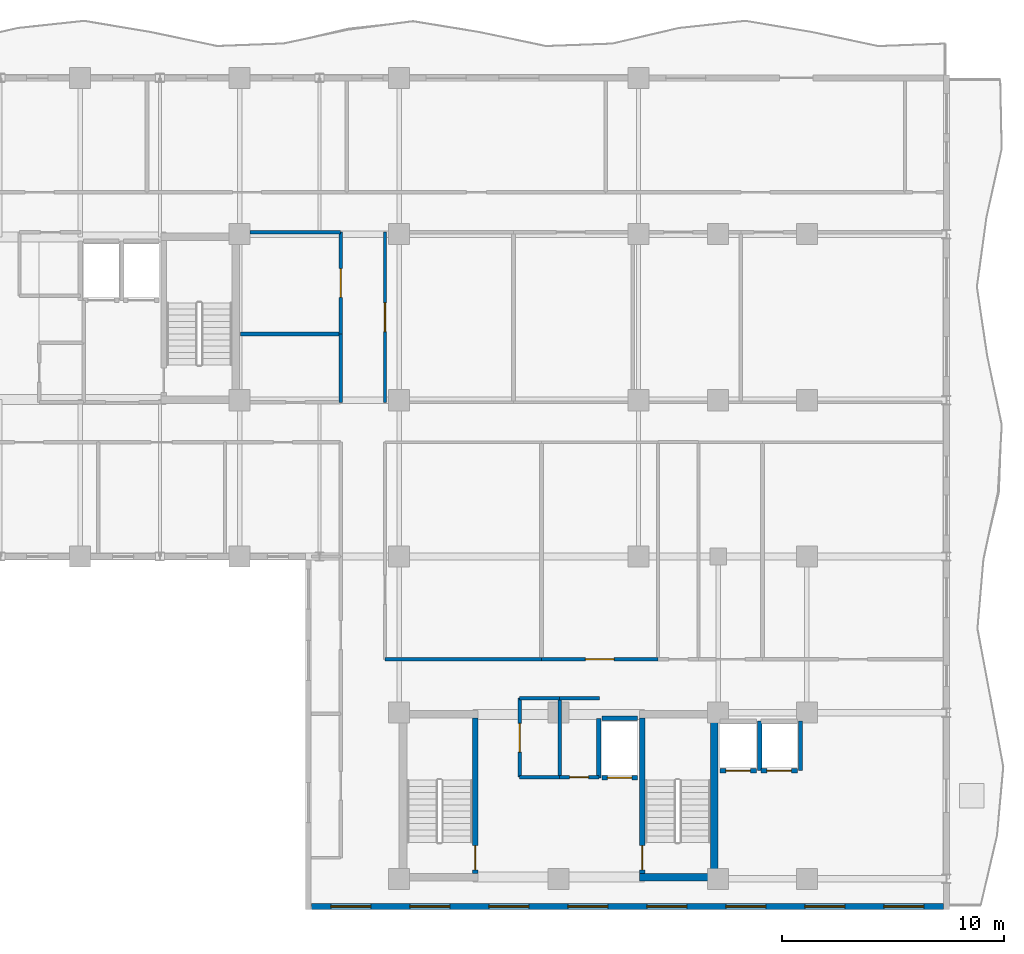
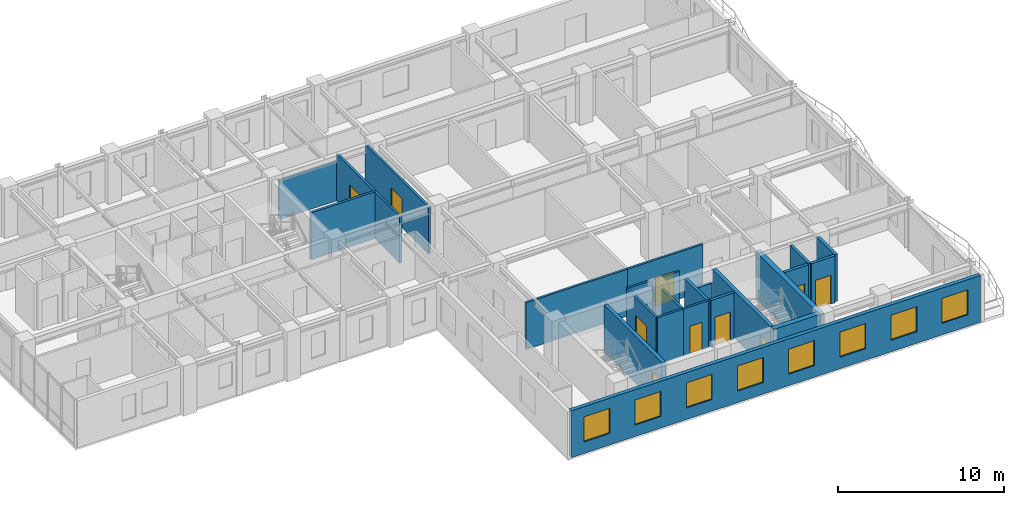
# One storey, part 14 of 20: 25 walls, 10 doors, 8 windows, 18 openings.
"""IFC4 building model written with IfcOpenShell, lengths in metres."""

from ifc_helpers import new_model, si_unit, direction, frame, frame_2d, origin, place, context, subcontext, project, spatial, rectangle, extrude, material, layer, layer_set, type_object, element, fill, save


model = new_model("IFC4")

# Units and contexts
model_context = context("Model", 3, precision=1e-05, world=origin(), true_north=direction((0.0, 1.0)))
body_context = subcontext(model_context, "Body", "Model", "MODEL_VIEW")
ifc_project = project(units=[si_unit("LENGTHUNIT", "METRE"), si_unit("AREAUNIT", "SQUARE_METRE"), si_unit("VOLUMEUNIT", "CUBIC_METRE"), si_unit("PLANEANGLEUNIT", "RADIAN"), si_unit("MASSUNIT", "GRAM", prefix="KILO")], contexts=[model_context])

# Site, building, storey
site_placement = place(None, origin())
site = spatial("IfcSite", under=ifc_project, at=site_placement, CompositionType="ELEMENT")
building_placement = place(site_placement, origin())
building = spatial("IfcBuilding", under=site, at=building_placement, Name="Kaliganga Portal Commons", CompositionType="ELEMENT")
storey_placement = place(building_placement, frame((0.0, 0.0, 216.60009765625)))
storey = spatial("IfcBuildingStorey", under=building, at=storey_placement, Name="L55", CompositionType="ELEMENT", Elevation=216.60009765625)

# Walls
ifc_material_1 = material(Name="Concrete C50/60", Category="concrete")
ifc_layer_1 = layer(ifc_material_1, 0.35009765625)
ifc_layer_set_1 = layer_set([ifc_layer_1], Name="Concrete C50/60")
wall_type_1 = type_object("IfcWallType", Name="WL-CORE-350", PredefinedType="SHEAR", material=ifc_layer_set_1)
wall_1_placement = place(storey_placement, frame((50.22509765625, 6.949951171875, 0.0), z_axis=(0.0, 0.0, 1.0), x_axis=(0.0, 1.0, 0.0)))
element("IfcWall", 1, at=wall_1_placement, inside=storey, type_object=wall_type_1, Name="Core B East Shear Wall L55", PredefinedType="SHEAR", context=body_context, shape_type="SweptSolid", body=[
    extrude(rectangle(XDim=7.699951171875, YDim=0.35009765625, at=frame_2d((3.85009765625, 0.0))), origin(), (0.0, 0.0, 1.0), 3.469970703125),
])
wall_2_placement = place(storey_placement, frame((46.85009765625, 7.125, 0.0), z_axis=(0.0, 0.0, 1.0), x_axis=(1.0, 0.0, 0.0)))
element("IfcWall", 2, at=wall_2_placement, inside=storey, type_object=wall_type_1, Name="Core B S-East Shear Wall L55", PredefinedType="SHEAR", context=body_context, shape_type="SweptSolid", body=[
    extrude(rectangle(XDim=3.199951171875, YDim=0.35009765625, at=frame_2d((1.60009765625, 0.0))), origin(), (0.0, 0.0, 1.0), 3.469970703125),
])

# Wall, openings, windows
ifc_material_2 = material(Name="Insulated Aluminium-Clad Spandrel Assembly", Category="aluminium")
ifc_layer_2 = layer(ifc_material_2, 0.260009765625)
ifc_layer_set_2 = layer_set([ifc_layer_2], Name="Insulated Aluminium-Clad Spandrel Assembly")
wall_type_2 = type_object("IfcWallType", Name="WL-EXT-SPAND-260", PredefinedType="STANDARD", material=ifc_layer_set_2)
wall_3_placement = place(storey_placement, frame((60.56494140625, 5.800048828125, 0.0), z_axis=(0.0, 0.0, 1.0), x_axis=(-1.0, 0.0, 0.0)))
wall_3 = element("IfcWall", 3, at=wall_3_placement, inside=storey, type_object=wall_type_2, Name="Exterior Envelope Wall L55 P1-E00-S1", PredefinedType="STANDARD", context=body_context, shape_type="SweptSolid", body=[
    extrude(rectangle(XDim=28.530029296875, YDim=0.260009765625, at=frame_2d((14.26513671875, 0.0))), origin(), (0.0, 0.0, 1.0), 3.449951171875),
])
opening_1_placement = place(wall_3_placement, frame((0.883056640625, 0.0, 0.85009765625)))
opening_1 = element("IfcOpeningElement", 4, at=opening_1_placement, cuts=wall_3, Name="Opening W-01", PredefinedType="OPENING", context=body_context, shape_type="SweptSolid", body=[
    extrude(rectangle(XDim=1.800048828125, YDim=1.85009765625, at=frame_2d((0.89990234375, 0.925048828125))), frame((0.0, 0.14013671875, 0.0), z_axis=(0.0, -1.0, 0.0), x_axis=(1.0, 0.0, 0.0)), (0.0, 0.0, 1.0), 0.280029296875),
])
opening_2_placement = place(wall_3_placement, frame((4.449462890625, 0.0, 0.85009765625)))
opening_2 = element("IfcOpeningElement", 5, at=opening_2_placement, cuts=wall_3, Name="Opening W-01", PredefinedType="OPENING", context=body_context, shape_type="SweptSolid", body=[
    extrude(rectangle(XDim=1.800048828125, YDim=1.85009765625, at=frame_2d((0.89990234375, 0.925048828125))), frame((0.0, 0.14013671875, 0.0), z_axis=(0.0, -1.0, 0.0), x_axis=(1.0, 0.0, 0.0)), (0.0, 0.0, 1.0), 0.280029296875),
])
opening_3_placement = place(wall_3_placement, frame((8.015625, 0.0, 0.85009765625)))
opening_3 = element("IfcOpeningElement", 6, at=opening_3_placement, cuts=wall_3, Name="Opening W-01", PredefinedType="OPENING", context=body_context, shape_type="SweptSolid", body=[
    extrude(rectangle(XDim=1.800048828125, YDim=1.85009765625, at=frame_2d((0.89990234375, 0.925048828125))), frame((0.0, 0.14013671875, 0.0), z_axis=(0.0, -1.0, 0.0), x_axis=(1.0, 0.0, 0.0)), (0.0, 0.0, 1.0), 0.280029296875),
])
opening_4_placement = place(wall_3_placement, frame((11.581787109375, 0.0, 0.85009765625)))
opening_4 = element("IfcOpeningElement", 7, at=opening_4_placement, cuts=wall_3, Name="Opening W-01", PredefinedType="OPENING", context=body_context, shape_type="SweptSolid", body=[
    extrude(rectangle(XDim=1.800048828125, YDim=1.85009765625, at=frame_2d((0.89990234375, 0.925048828125))), frame((0.0, 0.14013671875, 0.0), z_axis=(0.0, -1.0, 0.0), x_axis=(1.0, 0.0, 0.0)), (0.0, 0.0, 1.0), 0.280029296875),
])
opening_5_placement = place(wall_3_placement, frame((15.148193359375, 0.0, 0.85009765625)))
opening_5 = element("IfcOpeningElement", 8, at=opening_5_placement, cuts=wall_3, Name="Opening W-01", PredefinedType="OPENING", context=body_context, shape_type="SweptSolid", body=[
    extrude(rectangle(XDim=1.800048828125, YDim=1.85009765625, at=frame_2d((0.89990234375, 0.925048828125))), frame((0.0, 0.14013671875, 0.0), z_axis=(0.0, -1.0, 0.0), x_axis=(1.0, 0.0, 0.0)), (0.0, 0.0, 1.0), 0.280029296875),
])
opening_6_placement = place(wall_3_placement, frame((18.71435546875, 0.0, 0.85009765625)))
opening_6 = element("IfcOpeningElement", 9, at=opening_6_placement, cuts=wall_3, Name="Opening W-01", PredefinedType="OPENING", context=body_context, shape_type="SweptSolid", body=[
    extrude(rectangle(XDim=1.800048828125, YDim=1.85009765625, at=frame_2d((0.89990234375, 0.925048828125))), frame((0.0, 0.14013671875, 0.0), z_axis=(0.0, -1.0, 0.0), x_axis=(1.0, 0.0, 0.0)), (0.0, 0.0, 1.0), 0.280029296875),
])
opening_7_placement = place(wall_3_placement, frame((22.280517578125, 0.0, 0.85009765625)))
opening_7 = element("IfcOpeningElement", 10, at=opening_7_placement, cuts=wall_3, Name="Opening W-01", PredefinedType="OPENING", context=body_context, shape_type="SweptSolid", body=[
    extrude(rectangle(XDim=1.800048828125, YDim=1.85009765625, at=frame_2d((0.89990234375, 0.925048828125))), frame((0.0, 0.14013671875, 0.0), z_axis=(0.0, -1.0, 0.0), x_axis=(1.0, 0.0, 0.0)), (0.0, 0.0, 1.0), 0.280029296875),
])
opening_8_placement = place(wall_3_placement, frame((25.846923828125, 0.0, 0.85009765625)))
opening_8 = element("IfcOpeningElement", 11, at=opening_8_placement, cuts=wall_3, Name="Opening W-01", PredefinedType="OPENING", context=body_context, shape_type="SweptSolid", body=[
    extrude(rectangle(XDim=1.800048828125, YDim=1.85009765625, at=frame_2d((0.89990234375, 0.925048828125))), frame((0.0, 0.14013671875, 0.0), z_axis=(0.0, -1.0, 0.0), x_axis=(1.0, 0.0, 0.0)), (0.0, 0.0, 1.0), 0.280029296875),
])
ifc_material_3 = material(Name="Thermally Broken Aluminium and Low-E Double Glazing", Category="aluminium")
window_type = type_object("IfcWindowType", Name="WIN-STD-1800", PartitioningType="DOUBLE_PANEL_VERTICAL", PredefinedType="WINDOW", material=ifc_material_3)
window_1_placement = place(opening_1_placement, origin())
window_1 = element("IfcWindow", 12, at=window_1_placement, inside=storey, type_object=window_type, Name="Facade Window L55-P1E00S1-00", OverallHeight=1.85009765625, OverallWidth=1.800048828125, PartitioningType="SINGLE_PANEL", PredefinedType="WINDOW", context=body_context, shape_type="SweptSolid", body=[
    extrude(rectangle(XDim=1.800048828125, YDim=1.85009765625, at=frame_2d((0.89990234375, 0.925048828125))), frame((0.0, 0.030029296875, 0.0), z_axis=(0.0, -1.0, 0.0), x_axis=(1.0, 0.0, 0.0)), (0.0, 0.0, 1.0), 0.06005859375),
])
fill(opening_1, window_1)
window_2_placement = place(opening_2_placement, origin())
window_2 = element("IfcWindow", 13, at=window_2_placement, inside=storey, type_object=window_type, Name="Facade Window L55-P1E00S1-01", OverallHeight=1.85009765625, OverallWidth=1.800048828125, PartitioningType="SINGLE_PANEL", PredefinedType="WINDOW", context=body_context, shape_type="SweptSolid", body=[
    extrude(rectangle(XDim=1.800048828125, YDim=1.85009765625, at=frame_2d((0.89990234375, 0.925048828125))), frame((0.0, 0.030029296875, 0.0), z_axis=(0.0, -1.0, 0.0), x_axis=(1.0, 0.0, 0.0)), (0.0, 0.0, 1.0), 0.06005859375),
])
fill(opening_2, window_2)
window_3_placement = place(opening_3_placement, origin())
window_3 = element("IfcWindow", 14, at=window_3_placement, inside=storey, type_object=window_type, Name="Facade Window L55-P1E00S1-02", OverallHeight=1.85009765625, OverallWidth=1.800048828125, PartitioningType="SINGLE_PANEL", PredefinedType="WINDOW", context=body_context, shape_type="SweptSolid", body=[
    extrude(rectangle(XDim=1.800048828125, YDim=1.85009765625, at=frame_2d((0.89990234375, 0.925048828125))), frame((0.0, 0.030029296875, 0.0), z_axis=(0.0, -1.0, 0.0), x_axis=(1.0, 0.0, 0.0)), (0.0, 0.0, 1.0), 0.06005859375),
])
fill(opening_3, window_3)
window_4_placement = place(opening_4_placement, origin())
window_4 = element("IfcWindow", 15, at=window_4_placement, inside=storey, type_object=window_type, Name="Facade Window L55-P1E00S1-03", OverallHeight=1.85009765625, OverallWidth=1.800048828125, PartitioningType="SINGLE_PANEL", PredefinedType="WINDOW", context=body_context, shape_type="SweptSolid", body=[
    extrude(rectangle(XDim=1.800048828125, YDim=1.85009765625, at=frame_2d((0.89990234375, 0.925048828125))), frame((0.0, 0.030029296875, 0.0), z_axis=(0.0, -1.0, 0.0), x_axis=(1.0, 0.0, 0.0)), (0.0, 0.0, 1.0), 0.06005859375),
])
fill(opening_4, window_4)
window_5_placement = place(opening_5_placement, origin())
window_5 = element("IfcWindow", 16, at=window_5_placement, inside=storey, type_object=window_type, Name="Facade Window L55-P1E00S1-04", OverallHeight=1.85009765625, OverallWidth=1.800048828125, PartitioningType="SINGLE_PANEL", PredefinedType="WINDOW", context=body_context, shape_type="SweptSolid", body=[
    extrude(rectangle(XDim=1.800048828125, YDim=1.85009765625, at=frame_2d((0.89990234375, 0.925048828125))), frame((0.0, 0.030029296875, 0.0), z_axis=(0.0, -1.0, 0.0), x_axis=(1.0, 0.0, 0.0)), (0.0, 0.0, 1.0), 0.06005859375),
])
fill(opening_5, window_5)
window_6_placement = place(opening_6_placement, origin())
window_6 = element("IfcWindow", 17, at=window_6_placement, inside=storey, type_object=window_type, Name="Facade Window L55-P1E00S1-05", OverallHeight=1.85009765625, OverallWidth=1.800048828125, PartitioningType="SINGLE_PANEL", PredefinedType="WINDOW", context=body_context, shape_type="SweptSolid", body=[
    extrude(rectangle(XDim=1.800048828125, YDim=1.85009765625, at=frame_2d((0.89990234375, 0.925048828125))), frame((0.0, 0.030029296875, 0.0), z_axis=(0.0, -1.0, 0.0), x_axis=(1.0, 0.0, 0.0)), (0.0, 0.0, 1.0), 0.06005859375),
])
fill(opening_6, window_6)
window_7_placement = place(opening_7_placement, origin())
window_7 = element("IfcWindow", 18, at=window_7_placement, inside=storey, type_object=window_type, Name="Facade Window L55-P1E00S1-06", OverallHeight=1.85009765625, OverallWidth=1.800048828125, PartitioningType="SINGLE_PANEL", PredefinedType="WINDOW", context=body_context, shape_type="SweptSolid", body=[
    extrude(rectangle(XDim=1.800048828125, YDim=1.85009765625, at=frame_2d((0.89990234375, 0.925048828125))), frame((0.0, 0.030029296875, 0.0), z_axis=(0.0, -1.0, 0.0), x_axis=(1.0, 0.0, 0.0)), (0.0, 0.0, 1.0), 0.06005859375),
])
fill(opening_7, window_7)
window_8_placement = place(opening_8_placement, origin())
window_8 = element("IfcWindow", 19, at=window_8_placement, inside=storey, type_object=window_type, Name="Facade Window L55-P1E00S1-07", OverallHeight=1.85009765625, OverallWidth=1.800048828125, PartitioningType="SINGLE_PANEL", PredefinedType="WINDOW", context=body_context, shape_type="SweptSolid", body=[
    extrude(rectangle(XDim=1.800048828125, YDim=1.85009765625, at=frame_2d((0.89990234375, 0.925048828125))), frame((0.0, 0.030029296875, 0.0), z_axis=(0.0, -1.0, 0.0), x_axis=(1.0, 0.0, 0.0)), (0.0, 0.0, 1.0), 0.06005859375),
])
fill(opening_8, window_8)

# Wall, opening, door
ifc_material_4 = material(Name="Fire-Rated Gypsum Board on Steel Stud", Category="steel")
ifc_layer_3 = layer(ifc_material_4, 0.14990234375)
ifc_layer_set_3 = layer_set([ifc_layer_3], Name="Fire-Rated Gypsum Board on Steel Stud")
wall_type_3 = type_object("IfcWallType", Name="WL-PART-CORR-150", PredefinedType="PARTITIONING", material=ifc_layer_set_3)
wall_4_placement = place(storey_placement, frame((35.360107421875, 28.56005859375, 0.0), z_axis=(0.0, 0.0, 1.0), x_axis=(0.0, 1.0, 0.0)))
wall_4 = element("IfcWall", 20, at=wall_4_placement, inside=storey, type_object=wall_type_3, Name="Interior Partition L55-014", PredefinedType="PARTITIONING", context=body_context, shape_type="SweptSolid", body=[
    extrude(rectangle(XDim=7.679931640625, YDim=0.14990234375, at=frame_2d((3.83984375, 0.0))), origin(), (0.0, 0.0, 1.0), 3.449951171875),
])
opening_9_placement = place(wall_4_placement, frame((3.18994140625, 0.0, 0.0)))
opening_9 = element("IfcOpeningElement", 21, at=opening_9_placement, cuts=wall_4, Name="Opening RD-03", PredefinedType="OPENING", context=body_context, shape_type="SweptSolid", body=[
    extrude(rectangle(XDim=1.300048828125, YDim=2.1201171875, at=frame_2d((0.64990234375, 1.06005859375))), frame((0.0, 0.0849609375, 0.0), z_axis=(0.0, -1.0, 0.0), x_axis=(1.0, 0.0, 0.0)), (0.0, 0.0, 1.0), 0.169921875),
])
ifc_material_5 = material(Name="Glazed Timber Seminar Vision Door", Category="wood")
door_type_1 = type_object("IfcDoorType", Name="DR-STUDY-1300", OperationType="DOUBLE_DOOR_SINGLE_SWING", PredefinedType="DOOR", material=ifc_material_5)
door_1_placement = place(opening_9_placement, origin())
door_1 = element("IfcDoor", 22, at=door_1_placement, inside=storey, type_object=door_type_1, Name="Interior Door L55-BK01", OperationType="DOUBLE_DOOR_SINGLE_SWING", OverallHeight=2.1201171875, OverallWidth=1.300048828125, PredefinedType="DOOR", context=body_context, shape_type="SweptSolid", body=[
    extrude(rectangle(XDim=1.300048828125, YDim=2.1201171875, at=frame_2d((0.64990234375, 1.06005859375))), frame((0.0, 0.02490234375, 0.0), z_axis=(0.0, -1.0, 0.0), x_axis=(1.0, 0.0, 0.0)), (0.0, 0.0, 1.0), 0.050048828125),
])
fill(opening_9, door_1)

# Wall
wall_5_placement = place(storey_placement, frame((35.360107421875, 16.9599609375, 0.0), z_axis=(0.0, 0.0, 1.0), x_axis=(1.0, 0.0, 0.0)))
element("IfcWall", 23, at=wall_5_placement, inside=storey, type_object=wall_type_3, Name="Interior Partition L55-016", PredefinedType="PARTITIONING", context=body_context, shape_type="SweptSolid", body=[
    extrude(rectangle(XDim=7.059814453125, YDim=0.14990234375, at=frame_2d((3.52978515625, 0.0))), origin(), (0.0, 0.0, 1.0), 3.449951171875),
])

# Wall, opening, door
wall_6_placement = place(storey_placement, frame((42.419921875, 16.9599609375, 0.0), z_axis=(0.0, 0.0, 1.0), x_axis=(1.0, 0.0, 0.0)))
wall_6 = element("IfcWall", 24, at=wall_6_placement, inside=storey, type_object=wall_type_3, Name="Interior Partition L55-023", PredefinedType="PARTITIONING", context=body_context, shape_type="SweptSolid", body=[
    extrude(rectangle(XDim=5.260009765625, YDim=0.14990234375, at=frame_2d((2.6298828125, 0.0))), origin(), (0.0, 0.0, 1.0), 3.449951171875),
])
opening_10_placement = place(wall_6_placement, frame((1.97998046875, 0.0, 0.0)))
opening_10 = element("IfcOpeningElement", 25, at=opening_10_placement, cuts=wall_6, Name="Opening RD-03", PredefinedType="OPENING", context=body_context, shape_type="SweptSolid", body=[
    extrude(rectangle(XDim=1.300048828125, YDim=2.1201171875, at=frame_2d((0.64990234375, 1.06005859375))), frame((0.0, 0.0849609375, 0.0), z_axis=(0.0, -1.0, 0.0), x_axis=(1.0, 0.0, 0.0)), (0.0, 0.0, 1.0), 0.169921875),
])
door_2_placement = place(opening_10_placement, origin())
door_2 = element("IfcDoor", 26, at=door_2_placement, inside=storey, type_object=door_type_1, Name="Interior Door L55-BM02", OperationType="DOUBLE_DOOR_SINGLE_SWING", OverallHeight=2.1201171875, OverallWidth=1.300048828125, PredefinedType="DOOR", context=body_context, shape_type="SweptSolid", body=[
    extrude(rectangle(XDim=1.300048828125, YDim=2.1201171875, at=frame_2d((0.64990234375, 1.06005859375))), frame((0.0, 0.02490234375, 0.0), z_axis=(0.0, -1.0, 0.0), x_axis=(1.0, 0.0, 0.0)), (0.0, 0.0, 1.0), 0.050048828125),
])
fill(opening_10, door_2)

wall_7_placement = place(storey_placement, frame((33.360107421875, 31.639892578125, 0.0), z_axis=(0.0, 0.0, 1.0), x_axis=(0.0, 1.0, 0.0)))
wall_7 = element("IfcWall", 27, at=wall_7_placement, inside=storey, type_object=wall_type_3, Name="Interior Partition L55-028", PredefinedType="PARTITIONING", context=body_context, shape_type="SweptSolid", body=[
    extrude(rectangle(XDim=4.60009765625, YDim=0.14990234375, at=frame_2d((2.300048828125, 0.0))), origin(), (0.0, 0.0, 1.0), 3.449951171875),
])
opening_11_placement = place(wall_7_placement, frame((1.64990234375, 0.0, 0.0)))
opening_11 = element("IfcOpeningElement", 28, at=opening_11_placement, cuts=wall_7, Name="Opening RD-03", PredefinedType="OPENING", context=body_context, shape_type="SweptSolid", body=[
    extrude(rectangle(XDim=1.300048828125, YDim=2.1201171875, at=frame_2d((0.64990234375, 1.06005859375))), frame((0.0, 0.0849609375, 0.0), z_axis=(0.0, -1.0, 0.0), x_axis=(1.0, 0.0, 0.0)), (0.0, 0.0, 1.0), 0.169921875),
])
door_3_placement = place(opening_11_placement, origin())
door_3 = element("IfcDoor", 29, at=door_3_placement, inside=storey, type_object=door_type_1, Name="Interior Door L55-CSRV_A2", OperationType="DOUBLE_DOOR_SINGLE_SWING", OverallHeight=2.1201171875, OverallWidth=1.300048828125, PredefinedType="DOOR", context=body_context, shape_type="SweptSolid", body=[
    extrude(rectangle(XDim=1.300048828125, YDim=2.1201171875, at=frame_2d((0.64990234375, 1.06005859375))), frame((0.0, 0.02490234375, 0.0), z_axis=(0.0, -1.0, 0.0), x_axis=(1.0, 0.0, 0.0)), (0.0, 0.0, 1.0), 0.050048828125),
])
fill(opening_11, door_3)

# Wall
wall_8_placement = place(storey_placement, frame((29.27490234375, 36.239990234375, 0.0), z_axis=(0.0, 0.0, 1.0), x_axis=(1.0, 0.0, 0.0)))
element("IfcWall", 30, at=wall_8_placement, inside=storey, type_object=wall_type_3, Name="Interior Partition L55-030", PredefinedType="PARTITIONING", context=body_context, shape_type="SweptSolid", body=[
    extrude(rectangle(XDim=4.085205078125, YDim=0.14990234375, at=frame_2d((2.04248046875, 0.0))), origin(), (0.0, 0.0, 1.0), 2.89990234375),
])

# Wall, opening, door
wall_9_placement = place(storey_placement, frame((41.43994140625, 11.639892578125, 0.0), z_axis=(0.0, 0.0, 1.0), x_axis=(0.0, 1.0, 0.0)))
wall_9 = element("IfcWall", 31, at=wall_9_placement, inside=storey, type_object=wall_type_3, Name="Interior Partition L55-031", PredefinedType="PARTITIONING", context=body_context, shape_type="SweptSolid", body=[
    extrude(rectangle(XDim=3.56005859375, YDim=0.14990234375, at=frame_2d((1.780029296875, 0.0))), origin(), (0.0, 0.0, 1.0), 3.449951171875),
])
opening_12_placement = place(wall_9_placement, frame((1.1298828125, 0.0, 0.0)))
opening_12 = element("IfcOpeningElement", 32, at=opening_12_placement, cuts=wall_9, Name="Opening RD-03", PredefinedType="OPENING", context=body_context, shape_type="SweptSolid", body=[
    extrude(rectangle(XDim=1.300048828125, YDim=2.1201171875, at=frame_2d((0.64990234375, 1.06005859375))), frame((0.0, 0.0849609375, 0.0), z_axis=(0.0, -1.0, 0.0), x_axis=(1.0, 0.0, 0.0)), (0.0, 0.0, 1.0), 0.169921875),
])
door_4_placement = place(opening_12_placement, origin())
door_4 = element("IfcDoor", 33, at=door_4_placement, inside=storey, type_object=door_type_1, Name="Interior Door L55-CREC_B1", OperationType="DOUBLE_DOOR_SINGLE_SWING", OverallHeight=2.1201171875, OverallWidth=1.300048828125, PredefinedType="DOOR", context=body_context, shape_type="SweptSolid", body=[
    extrude(rectangle(XDim=1.300048828125, YDim=2.1201171875, at=frame_2d((0.64990234375, 1.06005859375))), frame((0.0, 0.02490234375, 0.0), z_axis=(0.0, -1.0, 0.0), x_axis=(1.0, 0.0, 0.0)), (0.0, 0.0, 1.0), 0.050048828125),
])
fill(opening_12, door_4)

# Walls
wall_10_placement = place(storey_placement, frame((33.360107421875, 28.56005859375, 0.0), z_axis=(0.0, 0.0, 1.0), x_axis=(0.0, 1.0, 0.0)))
element("IfcWall", 34, at=wall_10_placement, inside=storey, type_object=wall_type_3, Name="Interior Partition L55-032", PredefinedType="PARTITIONING", context=body_context, shape_type="SweptSolid", body=[
    extrude(rectangle(XDim=3.079833984375, YDim=0.14990234375, at=frame_2d((1.5400390625, 0.0))), origin(), (0.0, 0.0, 1.0), 3.449951171875),
])
for number, where, z_axis, x_axis, name in (
    (35, (41.43994140625, 11.639892578125, 0.0), (0.0, 0.0, 1.0), (1.0, 0.0, 0.0), "Interior Partition L55-044"),
    (36, (41.43994140625, 15.199951171875, 0.0), (0.0, 0.0, 1.0), (1.0, 0.0, 0.0), "Interior Partition L55-045"),
):
    element("IfcWall", number, at=place(storey_placement, frame(where, z_axis=z_axis, x_axis=x_axis)), inside=storey, type_object=wall_type_3, Name=name, PredefinedType="PARTITIONING", context=body_context, shape_type="SweptSolid", body=[
        extrude(rectangle(XDim=1.800048828125, YDim=0.14990234375, at=frame_2d((0.89990234375, 0.0))), origin(), (0.0, 0.0, 1.0), 3.449951171875),
    ])

# Wall, opening, door
wall_11_placement = place(storey_placement, frame((43.239990234375, 11.639892578125, 0.0), z_axis=(0.0, 0.0, 1.0), x_axis=(1.0, 0.0, 0.0)))
wall_11 = element("IfcWall", 37, at=wall_11_placement, inside=storey, type_object=wall_type_3, Name="Interior Partition L55-046", PredefinedType="PARTITIONING", context=body_context, shape_type="SweptSolid", body=[
    extrude(rectangle(XDim=1.77001953125, YDim=0.14990234375, at=frame_2d((0.885009765625, 0.0))), origin(), (0.0, 0.0, 1.0), 3.449951171875),
])
opening_13_placement = place(wall_11_placement, frame((0.455078125, 0.0, 0.0)))
opening_13 = element("IfcOpeningElement", 38, at=opening_13_placement, cuts=wall_11, Name="Opening WD-02", PredefinedType="OPENING", context=body_context, shape_type="SweptSolid", body=[
    extrude(rectangle(XDim=0.860107421875, YDim=2.02001953125, at=frame_2d((0.43017578125, 1.010009765625))), frame((0.0, 0.0849609375, 0.0), z_axis=(0.0, -1.0, 0.0), x_axis=(1.0, 0.0, 0.0)), (0.0, 0.0, 1.0), 0.169921875),
])
ifc_material_6 = material(Name="Fire-Rated Utility Closet Door", Category="wood")
door_type_2 = type_object("IfcDoorType", Name="DR-STORE-800", OperationType="NOTDEFINED", PredefinedType="DOOR", material=ifc_material_6)
door_5_placement = place(opening_13_placement, origin())
door_5 = element("IfcDoor", 39, at=door_5_placement, inside=storey, type_object=door_type_2, Name="Interior Door L55-CREC_B2", OperationType="SINGLE_SWING_LEFT", OverallHeight=2.02001953125, OverallWidth=0.860107421875, PredefinedType="DOOR", context=body_context, shape_type="SweptSolid", body=[
    extrude(rectangle(XDim=0.860107421875, YDim=2.02001953125, at=frame_2d((0.43017578125, 1.010009765625))), frame((0.0, 0.02490234375, 0.0), z_axis=(0.0, -1.0, 0.0), x_axis=(1.0, 0.0, 0.0)), (0.0, 0.0, 1.0), 0.050048828125),
])
fill(opening_13, door_5)

# Walls
wall_12_placement = place(storey_placement, frame((43.239990234375, 15.199951171875, 0.0), z_axis=(0.0, 0.0, 1.0), x_axis=(1.0, 0.0, 0.0)))
element("IfcWall", 40, at=wall_12_placement, inside=storey, type_object=wall_type_3, Name="Interior Partition L55-047", PredefinedType="PARTITIONING", context=body_context, shape_type="SweptSolid", body=[
    extrude(rectangle(XDim=1.800048828125, YDim=0.14990234375, at=frame_2d((0.89990234375, 0.0))), origin(), (0.0, 0.0, 1.0), 3.449951171875),
])
ifc_material_7 = material(Name="Twin-Stud Acoustic Gypsum Partition", Category="gypsum")
ifc_layer_4 = layer(ifc_material_7, 0.1650390625)
ifc_layer_set_4 = layer_set([ifc_layer_4], Name="Twin-Stud Acoustic Gypsum Partition")
wall_type_4 = type_object("IfcWallType", Name="WL-PART-UNIT-165", PredefinedType="PARTITIONING", material=ifc_layer_set_4)
wall_13_placement = place(storey_placement, frame((28.840087890625, 31.639892578125, 0.0), z_axis=(0.0, 0.0, 1.0), x_axis=(1.0, 0.0, 0.0)))
element("IfcWall", 41, at=wall_13_placement, inside=storey, type_object=wall_type_4, Name="Interior Partition L55-074", PredefinedType="PARTITIONING", context=body_context, shape_type="SweptSolid", body=[
    extrude(rectangle(XDim=4.52001953125, YDim=0.1650390625, at=frame_2d((2.260009765625, 0.0))), origin(), (0.0, 0.0, 1.0), 3.449951171875),
])
wall_14_placement = place(storey_placement, frame((43.239990234375, 11.639892578125, 0.0), z_axis=(0.0, 0.0, 1.0), x_axis=(0.0, 1.0, 0.0)))
element("IfcWall", 42, at=wall_14_placement, inside=storey, type_object=wall_type_4, Name="Interior Partition L55-075", PredefinedType="PARTITIONING", context=body_context, shape_type="SweptSolid", body=[
    extrude(rectangle(XDim=3.56005859375, YDim=0.1650390625, at=frame_2d((1.780029296875, 0.0))), origin(), (0.0, 0.0, 1.0), 3.449951171875),
])

# Wall, opening, door
ifc_material_8 = material(Name="Fire-Rated Shaftwall Masonry Assembly", Category="masonry")
ifc_layer_5 = layer(ifc_material_8, 0.199951171875)
ifc_layer_set_5 = layer_set([ifc_layer_5], Name="Fire-Rated Shaftwall Masonry Assembly")
wall_type_5 = type_object("IfcWallType", Name="WL-SHAFT-200", PredefinedType="PARTITIONING", material=ifc_layer_set_5)
wall_15_placement = place(storey_placement, frame((50.47509765625, 11.93505859375, 0.0), z_axis=(0.0, 0.0, 1.0), x_axis=(1.0, 0.0, 0.0)))
wall_15 = element("IfcWall", 43, at=wall_15_placement, inside=storey, type_object=wall_type_5, Name="Lift PL-B3 Hoistway Shaft Wall L55-S", PredefinedType="PARTITIONING", context=body_context, shape_type="SweptSolid", body=[
    extrude(rectangle(XDim=1.64990234375, YDim=0.199951171875, at=frame_2d((0.824951171875, 0.0))), origin(), (0.0, 0.0, 1.0), 3.449951171875),
])
opening_14_placement = place(wall_15_placement, frame((0.27490234375, 0.0, 0.0)))
opening_14 = element("IfcOpeningElement", 44, at=opening_14_placement, cuts=wall_15, Name="Opening LD-01", PredefinedType="OPENING", context=body_context, shape_type="SweptSolid", body=[
    extrude(rectangle(XDim=1.10009765625, YDim=2.1201171875, at=frame_2d((0.550048828125, 1.06005859375))), frame((0.0, 0.10986328125, 0.0), z_axis=(0.0, -1.0, 0.0), x_axis=(1.0, 0.0, 0.0)), (0.0, 0.0, 1.0), 0.219970703125),
])
ifc_material_9 = material(Name="Brushed Stainless Steel 316 Lift Landing Door", Category="steel")
door_type_3 = type_object("IfcDoorType", Name="DR-LIFT-1100", OperationType="SLIDING_TO_LEFT", PredefinedType="DOOR", material=ifc_material_9)
door_6_placement = place(opening_14_placement, origin())
door_6 = element("IfcDoor", 45, at=door_6_placement, inside=storey, type_object=door_type_3, Name="Lift PL-B3 Sliding Landing Door L55", OperationType="SLIDING_TO_LEFT", OverallHeight=2.1201171875, OverallWidth=1.10009765625, PredefinedType="DOOR", context=body_context, shape_type="SweptSolid", body=[
    extrude(rectangle(XDim=1.10009765625, YDim=2.1201171875, at=frame_2d((0.550048828125, 1.06005859375))), frame((0.0, 0.02490234375, 0.0), z_axis=(0.0, -1.0, 0.0), x_axis=(1.0, 0.0, 0.0)), (0.0, 0.0, 1.0), 0.050048828125),
])
fill(opening_14, door_6)

# Wall
wall_16_placement = place(storey_placement, frame((52.264892578125, 11.93505859375, 0.0), z_axis=(0.0, 0.0, 1.0), x_axis=(0.0, 1.0, 0.0)))
element("IfcWall", 46, at=wall_16_placement, inside=storey, type_object=wall_type_5, Name="Lift PL-B3 Hoistway Shaft Wall L55-E", PredefinedType="PARTITIONING", context=body_context, shape_type="SweptSolid", body=[
    extrude(rectangle(XDim=2.22998046875, YDim=0.199951171875, at=frame_2d((1.114990234375, 0.0))), origin(), (0.0, 0.0, 1.0), 3.449951171875),
])

# Wall, opening, door
wall_17_placement = place(storey_placement, frame((52.324951171875, 11.93505859375, 0.0), z_axis=(0.0, 0.0, 1.0), x_axis=(1.0, 0.0, 0.0)))
wall_17 = element("IfcWall", 47, at=wall_17_placement, inside=storey, type_object=wall_type_5, Name="Lift PL-B4 Hoistway Shaft Wall L55-S", PredefinedType="PARTITIONING", context=body_context, shape_type="SweptSolid", body=[
    extrude(rectangle(XDim=1.650146484375, YDim=0.199951171875, at=frame_2d((0.8251953125, 0.0))), origin(), (0.0, 0.0, 1.0), 3.449951171875),
])
opening_15_placement = place(wall_17_placement, frame((0.27490234375, 0.0, 0.0)))
opening_15 = element("IfcOpeningElement", 48, at=opening_15_placement, cuts=wall_17, Name="Opening LD-01", PredefinedType="OPENING", context=body_context, shape_type="SweptSolid", body=[
    extrude(rectangle(XDim=1.10009765625, YDim=2.1201171875, at=frame_2d((0.550048828125, 1.06005859375))), frame((0.0, 0.10986328125, 0.0), z_axis=(0.0, -1.0, 0.0), x_axis=(1.0, 0.0, 0.0)), (0.0, 0.0, 1.0), 0.219970703125),
])
door_7_placement = place(opening_15_placement, origin())
door_7 = element("IfcDoor", 49, at=door_7_placement, inside=storey, type_object=door_type_3, Name="Lift PL-B4 Sliding Landing Door L55", OperationType="SLIDING_TO_LEFT", OverallHeight=2.1201171875, OverallWidth=1.10009765625, PredefinedType="DOOR", context=body_context, shape_type="SweptSolid", body=[
    extrude(rectangle(XDim=1.10009765625, YDim=2.1201171875, at=frame_2d((0.550048828125, 1.06005859375))), frame((0.0, 0.02490234375, 0.0), z_axis=(0.0, -1.0, 0.0), x_axis=(1.0, 0.0, 0.0)), (0.0, 0.0, 1.0), 0.050048828125),
])
fill(opening_15, door_7)

# Wall
wall_18_placement = place(storey_placement, frame((54.114990234375, 11.93505859375, 0.0), z_axis=(0.0, 0.0, 1.0), x_axis=(0.0, 1.0, 0.0)))
element("IfcWall", 50, at=wall_18_placement, inside=storey, type_object=wall_type_5, Name="Lift PL-B4 Hoistway Shaft Wall L55-E", PredefinedType="PARTITIONING", context=body_context, shape_type="SweptSolid", body=[
    extrude(rectangle(XDim=2.22998046875, YDim=0.199951171875, at=frame_2d((1.114990234375, 0.0))), origin(), (0.0, 0.0, 1.0), 3.449951171875),
])

# Wall, opening, door
wall_19_placement = place(storey_placement, frame((45.14990234375, 11.610107421875, 0.0), z_axis=(0.0, 0.0, 1.0), x_axis=(1.0, 0.0, 0.0)))
wall_19 = element("IfcWall", 51, at=wall_19_placement, inside=storey, type_object=wall_type_5, Name="Lift SL-B1 Hoistway Shaft Wall L55-S", PredefinedType="PARTITIONING", context=body_context, shape_type="SweptSolid", body=[
    extrude(rectangle(XDim=1.60009765625, YDim=0.199951171875, at=frame_2d((0.800048828125, 0.0))), origin(), (0.0, 0.0, 1.0), 3.449951171875),
])
opening_16_placement = place(wall_19_placement, frame((0.25, 0.0, 0.0)))
opening_16 = element("IfcOpeningElement", 52, at=opening_16_placement, cuts=wall_19, Name="Opening LD-01", PredefinedType="OPENING", context=body_context, shape_type="SweptSolid", body=[
    extrude(rectangle(XDim=1.10009765625, YDim=2.1201171875, at=frame_2d((0.550048828125, 1.06005859375))), frame((0.0, 0.10986328125, 0.0), z_axis=(0.0, -1.0, 0.0), x_axis=(1.0, 0.0, 0.0)), (0.0, 0.0, 1.0), 0.219970703125),
])
door_8_placement = place(opening_16_placement, origin())
door_8 = element("IfcDoor", 53, at=door_8_placement, inside=storey, type_object=door_type_3, Name="Lift SL-B1 Sliding Landing Door L55", OperationType="SLIDING_TO_LEFT", OverallHeight=2.1201171875, OverallWidth=1.10009765625, PredefinedType="DOOR", context=body_context, shape_type="SweptSolid", body=[
    extrude(rectangle(XDim=1.10009765625, YDim=2.1201171875, at=frame_2d((0.550048828125, 1.06005859375))), frame((0.0, 0.02490234375, 0.0), z_axis=(0.0, -1.0, 0.0), x_axis=(1.0, 0.0, 0.0)), (0.0, 0.0, 1.0), 0.050048828125),
])
fill(opening_16, door_8)

# Walls
wall_20_placement = place(storey_placement, frame((45.14990234375, 14.2900390625, 0.0), z_axis=(0.0, 0.0, 1.0), x_axis=(1.0, 0.0, 0.0)))
element("IfcWall", 54, at=wall_20_placement, inside=storey, type_object=wall_type_5, Name="Lift SL-B1 Hoistway Shaft Wall L55-N", PredefinedType="PARTITIONING", context=body_context, shape_type="SweptSolid", body=[
    extrude(rectangle(XDim=1.60009765625, YDim=0.199951171875, at=frame_2d((0.800048828125, 0.0))), origin(), (0.0, 0.0, 1.0), 2.5498046875),
])
wall_21_placement = place(storey_placement, frame((45.010009765625, 11.610107421875, 0.0), z_axis=(0.0, 0.0, 1.0), x_axis=(0.0, 1.0, 0.0)))
element("IfcWall", 55, at=wall_21_placement, inside=storey, type_object=wall_type_5, Name="Lift SL-B1 Hoistway Shaft Wall L55-W", PredefinedType="PARTITIONING", context=body_context, shape_type="SweptSolid", body=[
    extrude(rectangle(XDim=2.679931640625, YDim=0.199951171875, at=frame_2d((1.33984375, 0.0))), origin(), (0.0, 0.0, 1.0), 3.449951171875),
])

# Wall, opening, door
ifc_layer_6 = layer(ifc_material_1, 0.25)
ifc_layer_set_6 = layer_set([ifc_layer_6], Name="Concrete C50/60")
wall_type_6 = type_object("IfcWallType", Name="WL-STAIR-250", PredefinedType="SHEAR", material=ifc_layer_set_6)
wall_22_placement = place(storey_placement, frame((39.425048828125, 7.300048828125, 0.0), z_axis=(0.0, 0.0, 1.0), x_axis=(0.0, 1.0, 0.0)))
wall_22 = element("IfcWall", 56, at=wall_22_placement, inside=storey, type_object=wall_type_6, Name="Stair B1 Enclosure Shear Wall L55", PredefinedType="SHEAR", context=body_context, shape_type="SweptSolid", body=[
    extrude(rectangle(XDim=7.0, YDim=0.25, at=frame_2d((3.5, 0.0))), origin(), (0.0, 0.0, 1.0), 3.469970703125),
])
opening_17_placement = place(wall_22_placement, frame((0.14990234375, 0.0, 0.0)))
opening_17 = element("IfcOpeningElement", 57, at=opening_17_placement, cuts=wall_22, Name="Opening SD-01", PredefinedType="OPENING", context=body_context, shape_type="SweptSolid", body=[
    extrude(rectangle(XDim=1.10009765625, YDim=2.080078125, at=frame_2d((0.550048828125, 1.0400390625))), frame((0.0, 0.135009765625, 0.0), z_axis=(0.0, -1.0, 0.0), x_axis=(1.0, 0.0, 0.0)), (0.0, 0.0, 1.0), 0.27001953125),
])
ifc_material_10 = material(Name="Galvanized Steel Fire Door Leaf and Frame", Category="steel")
door_type_4 = type_object("IfcDoorType", Name="DR-STAIR-1100", OperationType="NOTDEFINED", PredefinedType="DOOR", material=ifc_material_10)
door_9_placement = place(opening_17_placement, origin())
door_9 = element("IfcDoor", 58, at=door_9_placement, inside=storey, type_object=door_type_4, Name="Protected Stair ST-B1 Fire Door L55", OperationType="SINGLE_SWING_LEFT", OverallHeight=2.080078125, OverallWidth=1.10009765625, PredefinedType="DOOR", context=body_context, shape_type="SweptSolid", body=[
    extrude(rectangle(XDim=1.10009765625, YDim=2.080078125, at=frame_2d((0.550048828125, 1.0400390625))), frame((0.0, 0.02490234375, 0.0), z_axis=(0.0, -1.0, 0.0), x_axis=(1.0, 0.0, 0.0)), (0.0, 0.0, 1.0), 0.050048828125),
])
fill(opening_17, door_9)

wall_23_placement = place(storey_placement, frame((46.97509765625, 7.300048828125, 0.0), z_axis=(0.0, 0.0, 1.0), x_axis=(0.0, 1.0, 0.0)))
wall_23 = element("IfcWall", 59, at=wall_23_placement, inside=storey, type_object=wall_type_6, Name="Stair B2 Enclosure Shear Wall L55", PredefinedType="SHEAR", context=body_context, shape_type="SweptSolid", body=[
    extrude(rectangle(XDim=7.0, YDim=0.25, at=frame_2d((3.5, 0.0))), origin(), (0.0, 0.0, 1.0), 3.469970703125),
])
opening_18_placement = place(wall_23_placement, frame((0.14990234375, 0.0, 0.0)))
opening_18 = element("IfcOpeningElement", 60, at=opening_18_placement, cuts=wall_23, Name="Opening SD-01", PredefinedType="OPENING", context=body_context, shape_type="SweptSolid", body=[
    extrude(rectangle(XDim=1.10009765625, YDim=2.080078125, at=frame_2d((0.550048828125, 1.0400390625))), frame((0.0, 0.135009765625, 0.0), z_axis=(0.0, -1.0, 0.0), x_axis=(1.0, 0.0, 0.0)), (0.0, 0.0, 1.0), 0.27001953125),
])
door_10_placement = place(opening_18_placement, origin())
door_10 = element("IfcDoor", 61, at=door_10_placement, inside=storey, type_object=door_type_4, Name="Protected Stair ST-B2 Fire Door L55", OperationType="SINGLE_SWING_RIGHT", OverallHeight=2.080078125, OverallWidth=1.10009765625, PredefinedType="DOOR", context=body_context, shape_type="SweptSolid", body=[
    extrude(rectangle(XDim=1.10009765625, YDim=2.080078125, at=frame_2d((0.550048828125, 1.0400390625))), frame((0.0, 0.02490234375, 0.0), z_axis=(0.0, -1.0, 0.0), x_axis=(1.0, 0.0, 0.0)), (0.0, 0.0, 1.0), 0.050048828125),
])
fill(opening_18, door_10)

save(model, "model.ifc")
